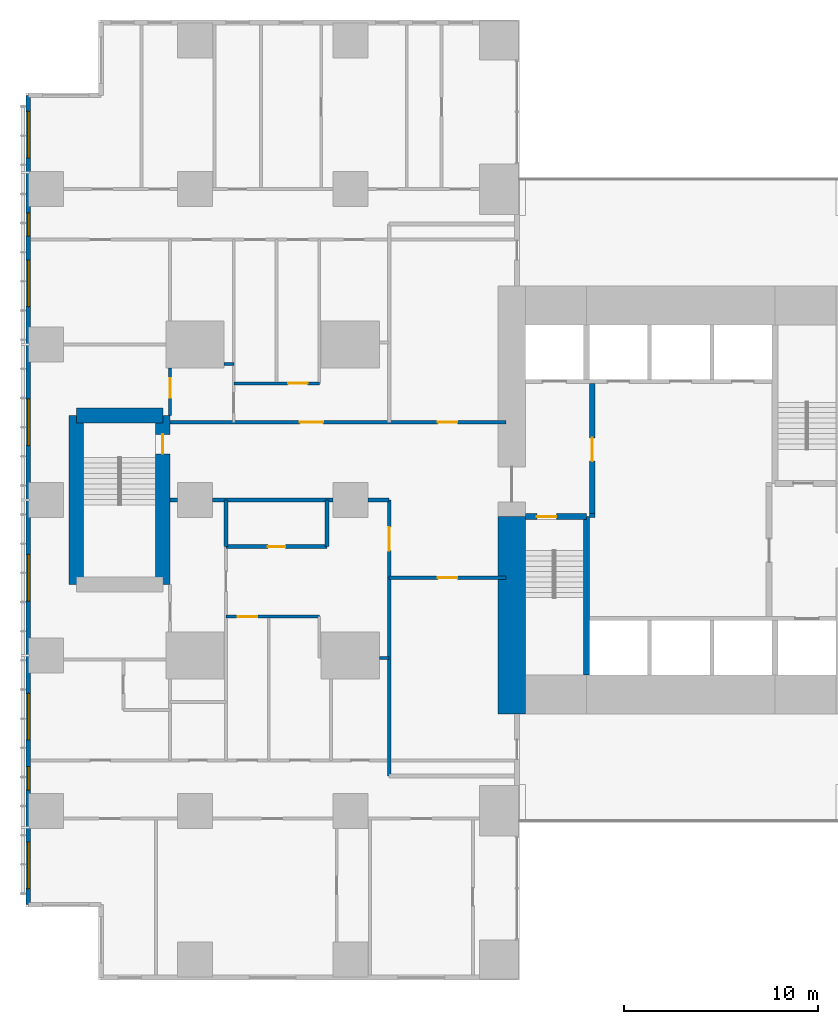
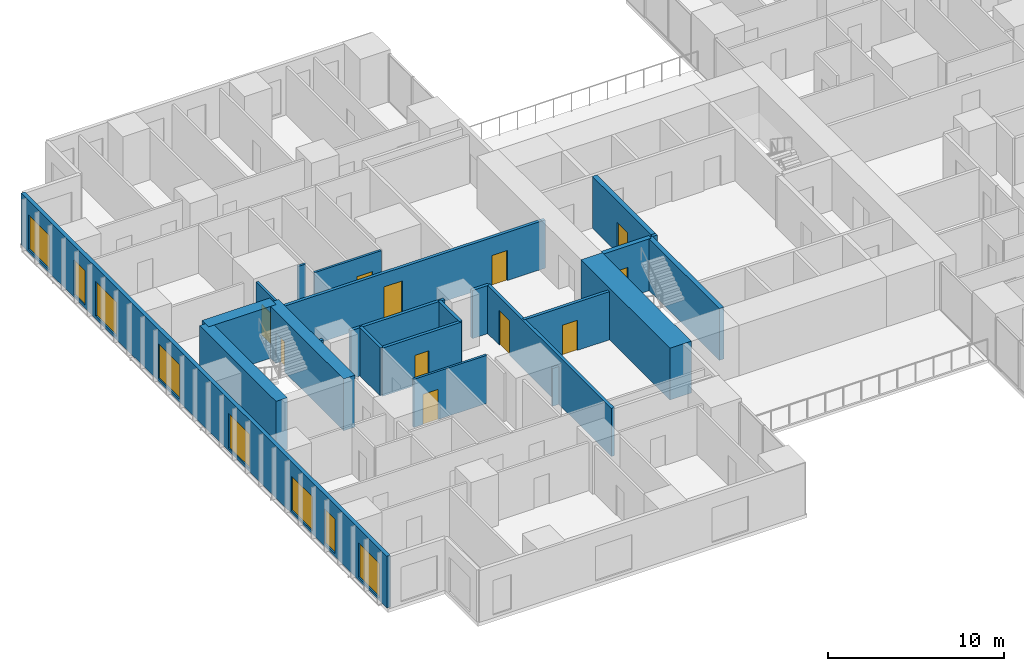
# One storey, part 13 of 20: 23 walls, 11 doors, 8 windows, 19 openings.
"""IFC4 building model written with IfcOpenShell, lengths in metres."""

import ifcopenshell
import ifcopenshell.guid

model = None  # the IFC model being written
_history = None  # IfcOwnerHistory: only IFC2X3 demands one
_inside = {}  # id of a spatial element -> (the spatial element, [elements in it])
_under = {}  # id of a project, library or spatial element -> (it, [spatial elements below it])
_declared = {}  # id of a project -> (the project, [libraries it declares])
_typed = {}  # id of a type object -> (the type object, [elements of that type])
_made_of = {}  # id of a material, layer set ... -> (it, [elements and type objects made of it])


def new_model(schema):
    """Start an empty IFC model of exactly this schema.

    Asked for "IFC4X3", IfcOpenShell would pick the latest addendum, in which some entities
    have other attributes; the version numbers below select the first issue.
    IFC2X3 requires an IfcOwnerHistory on every rooted entity: one is made here for all.
    """
    global model, _history
    if schema == "IFC4X3":
        model = ifcopenshell.file(schema_version=(4, 3, 0, 0))
    else:
        model = ifcopenshell.file(schema=schema)
    _inside.clear()
    _under.clear()
    _declared.clear()
    _typed.clear()
    _made_of.clear()
    _history = None
    if model.schema == "IFC2X3":
        org = make("IfcOrganization", Name="unknown")
        user = make(
            "IfcPersonAndOrganization",
            ThePerson=make("IfcPerson", FamilyName="unknown"),
            TheOrganization=org,
        )
        app = make(
            "IfcApplication",
            ApplicationDeveloper=org,
            Version="unknown",
            ApplicationFullName="unknown",
            ApplicationIdentifier="unknown",
        )
        _history = make(
            "IfcOwnerHistory",
            OwningUser=user,
            OwningApplication=app,
            ChangeAction="ADDED",
            CreationDate=0,
        )
    return model


def make(cls, **values):
    """One entity of the class cls with the attributes given. An attribute that is None is left unset."""
    return model.create_entity(
        cls, **{name: value for name, value in values.items() if value is not None}
    )


def rooted(cls, **values):
    """An entity with a GlobalId (a new one), such as an element, a storey or a relation."""
    return make(cls, GlobalId=ifcopenshell.guid.new(), OwnerHistory=_history, **values)


def si_unit(unit_type, name, prefix=None):
    """IfcSIUnit, for example si_unit("LENGTHUNIT", "METRE", prefix="MILLI")."""
    return make("IfcSIUnit", UnitType=unit_type, Prefix=prefix, Name=name)


def assignment(units):
    """IfcUnitAssignment: the units of a project."""
    return None if units is None else make("IfcUnitAssignment", Units=units)


def point(xyz):
    """IfcCartesianPoint."""
    return None if xyz is None else make("IfcCartesianPoint", Coordinates=xyz)


def direction(xyz):
    """IfcDirection."""
    return None if xyz is None else make("IfcDirection", DirectionRatios=xyz)


def frame(location, z_axis=None, x_axis=None):
    """IfcAxis2Placement3D, a coordinate frame: its origin and axes. An axis left out is left unset."""
    return make(
        "IfcAxis2Placement3D",
        Location=point(location),
        Axis=direction(z_axis),
        RefDirection=direction(x_axis),
    )


def frame_2d(location, x_axis=None):
    """IfcAxis2Placement2D, a coordinate frame in the plane: its origin and x axis."""
    return make(
        "IfcAxis2Placement2D", Location=point(location), RefDirection=direction(x_axis)
    )


def origin():
    """The frame at (0, 0, 0) with its axes left unset."""
    return frame((0.0, 0.0, 0.0))


def place(relative_to, where):
    """IfcLocalPlacement: puts the frame where relative to a parent placement (None: the world)."""
    return make(
        "IfcLocalPlacement", PlacementRelTo=relative_to, RelativePlacement=where
    )


def context(
    kind, dimensions, precision=None, world=None, true_north=None, identifier=None
):
    """IfcGeometricRepresentationContext, for example the 3D "Model" context."""
    return make(
        "IfcGeometricRepresentationContext",
        ContextIdentifier=identifier,
        ContextType=kind,
        CoordinateSpaceDimension=dimensions,
        Precision=precision,
        WorldCoordinateSystem=world,
        TrueNorth=true_north,
    )


def subcontext(parent, identifier, kind, view, scale=None):
    """IfcGeometricRepresentationSubContext, for example "Body" below "Model"."""
    return make(
        "IfcGeometricRepresentationSubContext",
        ContextIdentifier=identifier,
        ContextType=kind,
        ParentContext=parent,
        TargetScale=scale,
        TargetView=view,
    )


def project(units=None, contexts=None):
    """IfcProject with its units and contexts."""
    return rooted(
        "IfcProject",
        Name="project",
        RepresentationContexts=contexts,
        UnitsInContext=assignment(units),
    )


def spatial(cls, under=None, at=None, **own):
    """A site, building, storey or space (cls), placed at a placement, below another one or the project."""
    s = rooted(cls, ObjectPlacement=at, **own)
    if under is not None:
        _under.setdefault(under.id(), (under, []))[1].append(s)
    return s


def profile(cls, at=None, kind="AREA", **sizes):
    """A parametric profile (cls). Its sizes go by their IFC names, for example OverallWidth=200.0."""
    return make(cls, ProfileType=kind, Position=at, **sizes)


def rectangle(**sizes):
    """IfcRectangleProfileDef."""
    return profile("IfcRectangleProfileDef", **sizes)


def extrude(swept, where, along, depth):
    """IfcExtrudedAreaSolid: the profile swept, set in the frame where, extruded along a direction by depth."""
    return make(
        "IfcExtrudedAreaSolid",
        SweptArea=swept,
        Position=where,
        ExtrudedDirection=direction(along),
        Depth=depth,
    )


def shape(context_of_items, identifier, shape_type, items):
    """IfcShapeRepresentation: the items that make up one representation, for example the "Body"."""
    return make(
        "IfcShapeRepresentation",
        ContextOfItems=context_of_items,
        RepresentationIdentifier=identifier,
        RepresentationType=shape_type,
        Items=items,
    )


def material(Name=None, Category=None):
    """IfcMaterial."""
    return make("IfcMaterial", Name=Name, Category=Category)


def layer(
    of_material, thickness, ventilated=None, Name=None, Category=None, Priority=None
):
    """IfcMaterialLayer: one layer of a wall or slab, of a material (None: an air gap)."""
    return make(
        "IfcMaterialLayer",
        Material=of_material,
        LayerThickness=thickness,
        IsVentilated=ventilated,
        Name=Name,
        Category=Category,
        Priority=Priority,
    )


def layer_set(layers, Name=None):
    """IfcMaterialLayerSet."""
    return make("IfcMaterialLayerSet", MaterialLayers=layers, LayerSetName=Name)


def made_of(thing, what):
    """Note that an element or type object is made of a material, layer set ...; save() writes the relation."""
    if what is not None:
        _made_of.setdefault(what.id(), (what, []))[1].append(thing)
    return thing


def type_object(cls, material=None, **own):
    """A type object (cls), such as IfcWallType, which elements share."""
    return made_of(rooted(cls, **own), material)


def element(
    cls,
    number,
    at=None,
    inside=None,
    cuts=None,
    type_object=None,
    material=None,
    context=None,
    identifier="Body",
    shape_type=None,
    held_by="IfcProductDefinitionShape",
    body=None,
    shapes=None,
    **own,
):
    """One element of the class cls, such as IfcWall. Its Tag is "e" and its number.

    at: its placement. inside: the storey or other place that contains it. cuts: it is an
    opening in that element (IfcRelVoidsElement). A single representation is given by context,
    identifier, shape_type and body (its items); several are given by shapes. held_by: the class
    of the entity that holds the representations. save() writes the other relations.
    """
    e = rooted(cls, Tag="e%d" % number, ObjectPlacement=at, **own)
    if body is not None:
        shapes = [shape(context, identifier, shape_type, body)]
    if shapes is not None:
        e.Representation = make(held_by, Representations=shapes)
    if inside is not None:
        _inside.setdefault(inside.id(), (inside, []))[1].append(e)
    if cuts is not None:
        rooted(
            "IfcRelVoidsElement", RelatingBuildingElement=cuts, RelatedOpeningElement=e
        )
    if type_object is not None:
        _typed.setdefault(type_object.id(), (type_object, []))[1].append(e)
    return made_of(e, material)


def fill(opening, filler):
    """IfcRelFillsElement: the door or window that sits in an opening."""
    return rooted(
        "IfcRelFillsElement",
        RelatingOpeningElement=opening,
        RelatedBuildingElement=filler,
    )


def aggregate(whole, parts):
    """IfcRelAggregates: a whole, such as a stair, and the parts it consists of."""
    return rooted("IfcRelAggregates", RelatingObject=whole, RelatedObjects=parts)


def save(model, path):
    """Write the relations noted so far, then the file.

    IfcRelAggregates (storeys below a building ...), IfcRelContainedInSpatialStructure (elements
    in a storey), IfcRelDefinesByType, IfcRelAssociatesMaterial and IfcRelDeclares: one each for
    every whole, place, type object, material and project.
    """
    for whole, parts in _under.values():
        aggregate(whole, parts)
    for where, things in _inside.values():
        rooted(
            "IfcRelContainedInSpatialStructure",
            RelatedElements=things,
            RelatingStructure=where,
        )
    for kind, things in _typed.values():
        rooted("IfcRelDefinesByType", RelatedObjects=things, RelatingType=kind)
    for what, things in _made_of.values():
        rooted("IfcRelAssociatesMaterial", RelatedObjects=things, RelatingMaterial=what)
    for by, libraries in _declared.values():
        rooted("IfcRelDeclares", RelatingContext=by, RelatedDefinitions=libraries)
    model.write(path)


model = new_model("IFC4")

# Units and contexts
model_context = context("Model", 3, precision=1e-05, world=origin(), true_north=direction((0.0, 1.0)))
body_context = subcontext(model_context, "Body", "Model", "MODEL_VIEW")
ifc_project = project(units=[si_unit("LENGTHUNIT", "METRE"), si_unit("AREAUNIT", "SQUARE_METRE"), si_unit("VOLUMEUNIT", "CUBIC_METRE"), si_unit("PLANEANGLEUNIT", "RADIAN"), si_unit("MASSUNIT", "GRAM", prefix="KILO")], contexts=[model_context])

# Site, building, storey
site_placement = place(None, origin())
site = spatial("IfcSite", under=ifc_project, at=site_placement, CompositionType="ELEMENT")
building_placement = place(site_placement, origin())
building = spatial("IfcBuilding", under=site, at=building_placement, Name="Cleftline Residences", CompositionType="ELEMENT")
storey_placement = place(building_placement, frame((0.0, 0.0, 182.199951171875)))
storey = spatial("IfcBuildingStorey", under=building, at=storey_placement, Name="L47", CompositionType="ELEMENT", Elevation=182.199951171875)

# Walls
ifc_material_1 = material(Name="Concrete B70", Category="concrete")
ifc_layer_1 = layer(ifc_material_1, 1.39990234375)
ifc_layer_set_1 = layer_set([ifc_layer_1], Name="CORE WALL 1400")
wall_type_1 = type_object("IfcWallType", Name="CORE WALL 1400", PredefinedType="SHEAR", material=ifc_layer_set_1)
wall_1_placement = place(storey_placement, frame((24.300048828125, 13.0, 0.0), z_axis=(0.0, 0.0, 1.0), x_axis=(0.0, 1.0, 0.0)))
element("IfcWall", 1, at=wall_1_placement, inside=storey, type_object=wall_type_1, Name="Core wall W0", PredefinedType="SHEAR", context=body_context, shape_type="SweptSolid", body=[
    extrude(rectangle(XDim=10.14990234375, YDim=1.39990234375, at=frame_2d((5.074951171875, 0.0))), origin(), (0.0, 0.0, 1.0), 3.60009765625),
])
ifc_material_2 = material(Name="Concrete B70", Category="concrete")
ifc_layer_2 = layer(ifc_material_2, 0.300048828125)
ifc_layer_set_2 = layer_set([ifc_layer_2], Name="CORE WALL 300")
wall_type_2 = type_object("IfcWallType", Name="CORE WALL 300", PredefinedType="SHEAR", material=ifc_layer_set_2)
wall_2_placement = place(storey_placement, frame((28.14990234375, 15.0, 0.0), z_axis=(0.0, 0.0, 1.0), x_axis=(0.0, 1.0, 0.0)))
element("IfcWall", 2, at=wall_2_placement, inside=storey, type_object=wall_type_2, Name="Core wall SA-E", PredefinedType="SHEAR", context=body_context, shape_type="SweptSolid", body=[
    extrude(rectangle(XDim=8.14990234375, YDim=0.300048828125, at=frame_2d((4.074951171875, 0.0))), origin(), (0.0, 0.0, 1.0), 3.60009765625),
])

# Wall, opening, door
wall_3_placement = place(storey_placement, frame((25.0, 23.14990234375, 0.0), z_axis=(0.0, 0.0, 1.0), x_axis=(1.0, 0.0, 0.0)))
wall_3 = element("IfcWall", 3, at=wall_3_placement, inside=storey, type_object=wall_type_2, Name="Core wall SA-N", PredefinedType="SHEAR", context=body_context, shape_type="SweptSolid", body=[
    extrude(rectangle(XDim=3.14990234375, YDim=0.300048828125, at=frame_2d((1.574951171875, 0.0))), origin(), (0.0, 0.0, 1.0), 3.60009765625),
])
opening_1_placement = place(wall_3_placement, frame((0.60009765625, 0.0, 0.0)))
opening_1 = element("IfcOpeningElement", 4, at=opening_1_placement, cuts=wall_3, Name="Opening D5", PredefinedType="OPENING", context=body_context, shape_type="SweptSolid", body=[
    extrude(rectangle(XDim=1.0, YDim=2.10009765625, at=frame_2d((0.5, 1.050048828125))), frame((0.0, 0.159912109375, 0.0), z_axis=(0.0, -1.0, 0.0), x_axis=(1.0, 0.0, 0.0)), (0.0, 0.0, 1.0), 0.320068359375),
])
ifc_material_3 = material(Name="Steel", Category="steel")
door_type_1 = type_object("IfcDoorType", Name="STAIR DOOR 1000X2100", OperationType="SINGLE_SWING_LEFT", PredefinedType="DOOR", material=ifc_material_3)
door_1_placement = place(opening_1_placement, origin())
door_1 = element("IfcDoor", 5, at=door_1_placement, inside=storey, type_object=door_type_1, Name="Stair A door", OperationType="SINGLE_SWING_RIGHT", OverallHeight=2.10009765625, OverallWidth=1.0, PredefinedType="DOOR", context=body_context, shape_type="SweptSolid", body=[
    extrude(rectangle(XDim=1.0, YDim=2.10009765625, at=frame_2d((0.5, 1.050048828125))), frame((0.0, 0.02490234375, 0.0), z_axis=(0.0, -1.0, 0.0), x_axis=(1.0, 0.0, 0.0)), (0.0, 0.0, 1.0), 0.050048828125),
])
fill(opening_1, door_1)

# Wall, openings, windows
ifc_material_4 = material(Name="Rendered reinforced concrete blockwork", Category="masonry")
ifc_layer_3 = layer(ifc_material_4, 0.25)
ifc_layer_set_3 = layer_set([ifc_layer_3], Name="EXTERNAL WALL 250")
wall_type_3 = type_object("IfcWallType", Name="EXTERNAL WALL 250", PredefinedType="SOLIDWALL", material=ifc_layer_set_3)
wall_4_placement = place(storey_placement, frame((-0.574951171875, 44.824951171875, 0.0), z_axis=(0.0, 0.0, 1.0), x_axis=(0.0, -1.0, 0.0)))
wall_4 = element("IfcWall", 6, at=wall_4_placement, inside=storey, type_object=wall_type_3, Name="External wall", PredefinedType="SOLIDWALL", context=body_context, shape_type="SweptSolid", body=[
    extrude(rectangle(XDim=41.64990234375, YDim=0.25, at=frame_2d((20.824951171875, 0.0))), origin(), (0.0, 0.0, 1.0), 3.60009765625),
])
opening_2_placement = place(wall_4_placement, frame((0.824951171875, 0.0, 0.199951171875)))
opening_2 = element("IfcOpeningElement", 7, at=opening_2_placement, cuts=wall_4, Name="Opening W9", PredefinedType="OPENING", context=body_context, shape_type="SweptSolid", body=[
    extrude(rectangle(XDim=2.39990234375, YDim=2.39990234375, at=frame_2d((1.199951171875, 1.199951171875))), frame((0.0, 0.135009765625, 0.0), z_axis=(0.0, -1.0, 0.0), x_axis=(1.0, 0.0, 0.0)), (0.0, 0.0, 1.0), 0.27001953125),
])
opening_3_placement = place(wall_4_placement, frame((6.050048828125, 0.0, 0.199951171875)))
opening_3 = element("IfcOpeningElement", 8, at=opening_3_placement, cuts=wall_4, Name="Opening W13", PredefinedType="OPENING", context=body_context, shape_type="SweptSolid", body=[
    extrude(rectangle(XDim=1.199951171875, YDim=2.39990234375, at=frame_2d((0.60009765625, 1.199951171875))), frame((0.0, 0.135009765625, 0.0), z_axis=(0.0, -1.0, 0.0), x_axis=(1.0, 0.0, 0.0)), (0.0, 0.0, 1.0), 0.27001953125),
])
opening_4_placement = place(wall_4_placement, frame((8.47509765625, 0.0, 0.199951171875)))
opening_4 = element("IfcOpeningElement", 9, at=opening_4_placement, cuts=wall_4, Name="Opening W9", PredefinedType="OPENING", context=body_context, shape_type="SweptSolid", body=[
    extrude(rectangle(XDim=2.39990234375, YDim=2.39990234375, at=frame_2d((1.199951171875, 1.199951171875))), frame((0.0, 0.135009765625, 0.0), z_axis=(0.0, -1.0, 0.0), x_axis=(1.0, 0.0, 0.0)), (0.0, 0.0, 1.0), 0.27001953125),
])
opening_5_placement = place(wall_4_placement, frame((15.625, 0.0, 0.199951171875)))
opening_5 = element("IfcOpeningElement", 10, at=opening_5_placement, cuts=wall_4, Name="Opening W9", PredefinedType="OPENING", context=body_context, shape_type="SweptSolid", body=[
    extrude(rectangle(XDim=2.39990234375, YDim=2.39990234375, at=frame_2d((1.199951171875, 1.199951171875))), frame((0.0, 0.135009765625, 0.0), z_axis=(0.0, -1.0, 0.0), x_axis=(1.0, 0.0, 0.0)), (0.0, 0.0, 1.0), 0.27001953125),
])
opening_6_placement = place(wall_4_placement, frame((23.625, 0.0, 0.199951171875)))
opening_6 = element("IfcOpeningElement", 11, at=opening_6_placement, cuts=wall_4, Name="Opening W9", PredefinedType="OPENING", context=body_context, shape_type="SweptSolid", body=[
    extrude(rectangle(XDim=2.39990234375, YDim=2.39990234375, at=frame_2d((1.199951171875, 1.199951171875))), frame((0.0, 0.135009765625, 0.0), z_axis=(0.0, -1.0, 0.0), x_axis=(1.0, 0.0, 0.0)), (0.0, 0.0, 1.0), 0.27001953125),
])
opening_7_placement = place(wall_4_placement, frame((30.77490234375, 0.0, 0.199951171875)))
opening_7 = element("IfcOpeningElement", 12, at=opening_7_placement, cuts=wall_4, Name="Opening W9", PredefinedType="OPENING", context=body_context, shape_type="SweptSolid", body=[
    extrude(rectangle(XDim=2.39990234375, YDim=2.39990234375, at=frame_2d((1.199951171875, 1.199951171875))), frame((0.0, 0.135009765625, 0.0), z_axis=(0.0, -1.0, 0.0), x_axis=(1.0, 0.0, 0.0)), (0.0, 0.0, 1.0), 0.27001953125),
])
opening_8_placement = place(wall_4_placement, frame((34.550048828125, 0.0, 0.199951171875)))
opening_8 = element("IfcOpeningElement", 13, at=opening_8_placement, cuts=wall_4, Name="Opening W13", PredefinedType="OPENING", context=body_context, shape_type="SweptSolid", body=[
    extrude(rectangle(XDim=1.199951171875, YDim=2.39990234375, at=frame_2d((0.60009765625, 1.199951171875))), frame((0.0, 0.135009765625, 0.0), z_axis=(0.0, -1.0, 0.0), x_axis=(1.0, 0.0, 0.0)), (0.0, 0.0, 1.0), 0.27001953125),
])
opening_9_placement = place(wall_4_placement, frame((38.425048828125, 0.0, 0.199951171875)))
opening_9 = element("IfcOpeningElement", 14, at=opening_9_placement, cuts=wall_4, Name="Opening W9", PredefinedType="OPENING", context=body_context, shape_type="SweptSolid", body=[
    extrude(rectangle(XDim=2.39990234375, YDim=2.39990234375, at=frame_2d((1.199951171875, 1.199951171875))), frame((0.0, 0.135009765625, 0.0), z_axis=(0.0, -1.0, 0.0), x_axis=(1.0, 0.0, 0.0)), (0.0, 0.0, 1.0), 0.27001953125),
])
ifc_material_5 = material(Name="Aluminium frame, clear double glazing", Category="aluminium")
window_type_1 = type_object("IfcWindowType", Name="WINDOW 1200X2400", PartitioningType="DOUBLE_PANEL_VERTICAL", PredefinedType="WINDOW", material=ifc_material_5)
window_1_placement = place(opening_3_placement, origin())
window_1 = element("IfcWindow", 15, at=window_1_placement, inside=storey, type_object=window_type_1, Name="Window", OverallHeight=2.39990234375, OverallWidth=1.199951171875, PartitioningType="SINGLE_PANEL", PredefinedType="WINDOW", context=body_context, shape_type="SweptSolid", body=[
    extrude(rectangle(XDim=1.199951171875, YDim=2.39990234375, at=frame_2d((0.60009765625, 1.199951171875))), frame((0.0, 0.030029296875, 0.0), z_axis=(0.0, -1.0, 0.0), x_axis=(1.0, 0.0, 0.0)), (0.0, 0.0, 1.0), 0.06005859375),
])
fill(opening_3, window_1)
window_2_placement = place(opening_8_placement, origin())
window_2 = element("IfcWindow", 16, at=window_2_placement, inside=storey, type_object=window_type_1, Name="Window", OverallHeight=2.39990234375, OverallWidth=1.199951171875, PartitioningType="SINGLE_PANEL", PredefinedType="WINDOW", context=body_context, shape_type="SweptSolid", body=[
    extrude(rectangle(XDim=1.199951171875, YDim=2.39990234375, at=frame_2d((0.60009765625, 1.199951171875))), frame((0.0, 0.030029296875, 0.0), z_axis=(0.0, -1.0, 0.0), x_axis=(1.0, 0.0, 0.0)), (0.0, 0.0, 1.0), 0.06005859375),
])
fill(opening_8, window_2)
ifc_material_6 = material(Name="Aluminium frame, clear double glazing", Category="aluminium")
window_type_2 = type_object("IfcWindowType", Name="WINDOW 2400X2400", PartitioningType="DOUBLE_PANEL_VERTICAL", PredefinedType="WINDOW", material=ifc_material_6)
window_3_placement = place(opening_2_placement, origin())
window_3 = element("IfcWindow", 17, at=window_3_placement, inside=storey, type_object=window_type_2, Name="Window", OverallHeight=2.39990234375, OverallWidth=2.39990234375, PartitioningType="SINGLE_PANEL", PredefinedType="WINDOW", context=body_context, shape_type="SweptSolid", body=[
    extrude(rectangle(XDim=2.39990234375, YDim=2.39990234375, at=frame_2d((1.199951171875, 1.199951171875))), frame((0.0, 0.030029296875, 0.0), z_axis=(0.0, -1.0, 0.0), x_axis=(1.0, 0.0, 0.0)), (0.0, 0.0, 1.0), 0.06005859375),
])
fill(opening_2, window_3)
window_4_placement = place(opening_4_placement, origin())
window_4 = element("IfcWindow", 18, at=window_4_placement, inside=storey, type_object=window_type_2, Name="Window", OverallHeight=2.39990234375, OverallWidth=2.39990234375, PartitioningType="SINGLE_PANEL", PredefinedType="WINDOW", context=body_context, shape_type="SweptSolid", body=[
    extrude(rectangle(XDim=2.39990234375, YDim=2.39990234375, at=frame_2d((1.199951171875, 1.199951171875))), frame((0.0, 0.030029296875, 0.0), z_axis=(0.0, -1.0, 0.0), x_axis=(1.0, 0.0, 0.0)), (0.0, 0.0, 1.0), 0.06005859375),
])
fill(opening_4, window_4)
window_5_placement = place(opening_5_placement, origin())
window_5 = element("IfcWindow", 19, at=window_5_placement, inside=storey, type_object=window_type_2, Name="Window", OverallHeight=2.39990234375, OverallWidth=2.39990234375, PartitioningType="SINGLE_PANEL", PredefinedType="WINDOW", context=body_context, shape_type="SweptSolid", body=[
    extrude(rectangle(XDim=2.39990234375, YDim=2.39990234375, at=frame_2d((1.199951171875, 1.199951171875))), frame((0.0, 0.030029296875, 0.0), z_axis=(0.0, -1.0, 0.0), x_axis=(1.0, 0.0, 0.0)), (0.0, 0.0, 1.0), 0.06005859375),
])
fill(opening_5, window_5)
window_6_placement = place(opening_6_placement, origin())
window_6 = element("IfcWindow", 20, at=window_6_placement, inside=storey, type_object=window_type_2, Name="Window", OverallHeight=2.39990234375, OverallWidth=2.39990234375, PartitioningType="SINGLE_PANEL", PredefinedType="WINDOW", context=body_context, shape_type="SweptSolid", body=[
    extrude(rectangle(XDim=2.39990234375, YDim=2.39990234375, at=frame_2d((1.199951171875, 1.199951171875))), frame((0.0, 0.030029296875, 0.0), z_axis=(0.0, -1.0, 0.0), x_axis=(1.0, 0.0, 0.0)), (0.0, 0.0, 1.0), 0.06005859375),
])
fill(opening_6, window_6)
window_7_placement = place(opening_7_placement, origin())
window_7 = element("IfcWindow", 21, at=window_7_placement, inside=storey, type_object=window_type_2, Name="Window", OverallHeight=2.39990234375, OverallWidth=2.39990234375, PartitioningType="SINGLE_PANEL", PredefinedType="WINDOW", context=body_context, shape_type="SweptSolid", body=[
    extrude(rectangle(XDim=2.39990234375, YDim=2.39990234375, at=frame_2d((1.199951171875, 1.199951171875))), frame((0.0, 0.030029296875, 0.0), z_axis=(0.0, -1.0, 0.0), x_axis=(1.0, 0.0, 0.0)), (0.0, 0.0, 1.0), 0.06005859375),
])
fill(opening_7, window_7)
window_8_placement = place(opening_9_placement, origin())
window_8 = element("IfcWindow", 22, at=window_8_placement, inside=storey, type_object=window_type_2, Name="Window", OverallHeight=2.39990234375, OverallWidth=2.39990234375, PartitioningType="SINGLE_PANEL", PredefinedType="WINDOW", context=body_context, shape_type="SweptSolid", body=[
    extrude(rectangle(XDim=2.39990234375, YDim=2.39990234375, at=frame_2d((1.199951171875, 1.199951171875))), frame((0.0, 0.030029296875, 0.0), z_axis=(0.0, -1.0, 0.0), x_axis=(1.0, 0.0, 0.0)), (0.0, 0.0, 1.0), 0.06005859375),
])
fill(opening_9, window_8)

# Wall, opening, door
ifc_material_7 = material(Name="Concrete blockwork, fire rated", Category="masonry")
ifc_layer_4 = layer(ifc_material_7, 0.199951171875)
ifc_layer_set_4 = layer_set([ifc_layer_4], Name="FIRE WALL 200")
wall_type_4 = type_object("IfcWallType", Name="FIRE WALL 200", PredefinedType="PARTITIONING", material=ifc_layer_set_4)
wall_5_placement = place(storey_placement, frame((18.0, 20.0, 0.0), z_axis=(0.0, 0.0, 1.0), x_axis=(1.0, 0.0, 0.0)))
wall_5 = element("IfcWall", 23, at=wall_5_placement, inside=storey, type_object=wall_type_4, Name="Fire separating wall", PredefinedType="PARTITIONING", context=body_context, shape_type="SweptSolid", body=[
    extrude(rectangle(XDim=6.0, YDim=0.199951171875, at=frame_2d((3.0, 0.0))), origin(), (0.0, 0.0, 1.0), 3.35009765625),
])
opening_10_placement = place(wall_5_placement, frame((2.5, 0.0, 0.0)))
opening_10 = element("IfcOpeningElement", 24, at=opening_10_placement, cuts=wall_5, Name="Opening D2F60", PredefinedType="OPENING", context=body_context, shape_type="SweptSolid", body=[
    extrude(rectangle(XDim=1.0, YDim=2.10009765625, at=frame_2d((0.5, 1.050048828125))), frame((0.0, 0.10986328125, 0.0), z_axis=(0.0, -1.0, 0.0), x_axis=(1.0, 0.0, 0.0)), (0.0, 0.0, 1.0), 0.219970703125),
])
ifc_material_8 = material(Name="Timber veneer on solid core", Category="wood")
door_type_2 = type_object("IfcDoorType", Name="DOOR 1000X2100 EI 60", OperationType="SINGLE_SWING_LEFT", PredefinedType="DOOR", material=ifc_material_8)
door_2_placement = place(opening_10_placement, origin())
door_2 = element("IfcDoor", 25, at=door_2_placement, inside=storey, type_object=door_type_2, Name="Door to facade maintenance room", OperationType="SINGLE_SWING_LEFT", OverallHeight=2.10009765625, OverallWidth=1.0, PredefinedType="DOOR", context=body_context, shape_type="SweptSolid", body=[
    extrude(rectangle(XDim=1.0, YDim=2.10009765625, at=frame_2d((0.5, 1.050048828125))), frame((0.0, 0.02490234375, 0.0), z_axis=(0.0, -1.0, 0.0), x_axis=(1.0, 0.0, 0.0)), (0.0, 0.0, 1.0), 0.050048828125),
])
fill(opening_10, door_2)

wall_6_placement = place(storey_placement, frame((9.60009765625, 21.60009765625, 0.0), z_axis=(0.0, 0.0, 1.0), x_axis=(1.0, 0.0, 0.0)))
wall_6 = element("IfcWall", 26, at=wall_6_placement, inside=storey, type_object=wall_type_4, Name="Fire separating wall", PredefinedType="PARTITIONING", context=body_context, shape_type="SweptSolid", body=[
    extrude(rectangle(XDim=5.199951171875, YDim=0.199951171875, at=frame_2d((2.60009765625, 0.0))), origin(), (0.0, 0.0, 1.0), 3.35009765625),
])
opening_11_placement = place(wall_6_placement, frame((2.14990234375, 0.0, 0.0)))
opening_11 = element("IfcOpeningElement", 27, at=opening_11_placement, cuts=wall_6, Name="Opening D1F30", PredefinedType="OPENING", context=body_context, shape_type="SweptSolid", body=[
    extrude(rectangle(XDim=0.89990234375, YDim=2.10009765625, at=frame_2d((0.449951171875, 1.050048828125))), frame((0.0, 0.10986328125, 0.0), z_axis=(0.0, -1.0, 0.0), x_axis=(1.0, 0.0, 0.0)), (0.0, 0.0, 1.0), 0.219970703125),
])
ifc_material_9 = material(Name="Timber veneer on solid core", Category="wood")
door_type_3 = type_object("IfcDoorType", Name="DOOR 900X2100 EI 30", OperationType="SINGLE_SWING_LEFT", PredefinedType="DOOR", material=ifc_material_9)
door_3_placement = place(opening_11_placement, origin())
door_3 = element("IfcDoor", 28, at=door_3_placement, inside=storey, type_object=door_type_3, Name="Door to cloakroom wc", OperationType="SINGLE_SWING_LEFT", OverallHeight=2.10009765625, OverallWidth=0.89990234375, PredefinedType="DOOR", context=body_context, shape_type="SweptSolid", body=[
    extrude(rectangle(XDim=0.89990234375, YDim=2.10009765625, at=frame_2d((0.449951171875, 1.050048828125))), frame((0.0, 0.02490234375, 0.0), z_axis=(0.0, -1.0, 0.0), x_axis=(1.0, 0.0, 0.0)), (0.0, 0.0, 1.0), 0.050048828125),
])
fill(opening_11, door_3)

# Walls
wall_7_placement = place(storey_placement, frame((6.72509765625, 24.0, 0.0), z_axis=(0.0, 0.0, 1.0), x_axis=(1.0, 0.0, 0.0)))
element("IfcWall", 29, at=wall_7_placement, inside=storey, type_object=wall_type_4, Name="Fire separating wall", PredefinedType="PARTITIONING", context=body_context, shape_type="SweptSolid", body=[
    extrude(rectangle(XDim=0.375, YDim=0.199951171875, at=frame_2d((0.1875, 0.0))), origin(), (0.0, 0.0, 1.0), 3.35009765625),
])
wall_8_placement = place(storey_placement, frame((8.89990234375, 24.0, 0.0), z_axis=(0.0, 0.0, 1.0), x_axis=(1.0, 0.0, 0.0)))
element("IfcWall", 30, at=wall_8_placement, inside=storey, type_object=wall_type_4, Name="Fire separating wall", PredefinedType="PARTITIONING", context=body_context, shape_type="SweptSolid", body=[
    extrude(rectangle(XDim=6.2001953125, YDim=0.199951171875, at=frame_2d((3.10009765625, 0.0))), origin(), (0.0, 0.0, 1.0), 3.35009765625),
])
wall_9_placement = place(storey_placement, frame((16.89990234375, 24.0, 0.0), z_axis=(0.0, 0.0, 1.0), x_axis=(1.0, 0.0, 0.0)))
element("IfcWall", 31, at=wall_9_placement, inside=storey, type_object=wall_type_4, Name="Fire separating wall", PredefinedType="PARTITIONING", context=body_context, shape_type="SweptSolid", body=[
    extrude(rectangle(XDim=1.10009765625, YDim=0.199951171875, at=frame_2d((0.550048828125, 0.0))), origin(), (0.0, 0.0, 1.0), 3.35009765625),
])

# Wall, openings, doors
wall_10_placement = place(storey_placement, frame((6.72509765625, 28.0, 0.0), z_axis=(0.0, 0.0, 1.0), x_axis=(1.0, 0.0, 0.0)))
wall_10 = element("IfcWall", 32, at=wall_10_placement, inside=storey, type_object=wall_type_4, Name="Fire separating wall", PredefinedType="PARTITIONING", context=body_context, shape_type="SweptSolid", body=[
    extrude(rectangle(XDim=17.27490234375, YDim=0.199951171875, at=frame_2d((8.637451171875, 0.0))), origin(), (0.0, 0.0, 1.0), 3.35009765625),
])
opening_12_placement = place(wall_10_placement, frame((6.675048828125, 0.0, 0.0)))
opening_12 = element("IfcOpeningElement", 33, at=opening_12_placement, cuts=wall_10, Name="Opening D4", PredefinedType="OPENING", context=body_context, shape_type="SweptSolid", body=[
    extrude(rectangle(XDim=1.199951171875, YDim=2.39990234375, at=frame_2d((0.60009765625, 1.199951171875))), frame((0.0, 0.10986328125, 0.0), z_axis=(0.0, -1.0, 0.0), x_axis=(1.0, 0.0, 0.0)), (0.0, 0.0, 1.0), 0.219970703125),
])
opening_13_placement = place(wall_10_placement, frame((13.77490234375, 0.0, 0.0)))
opening_13 = element("IfcOpeningElement", 34, at=opening_13_placement, cuts=wall_10, Name="Opening D2F60", PredefinedType="OPENING", context=body_context, shape_type="SweptSolid", body=[
    extrude(rectangle(XDim=1.0, YDim=2.10009765625, at=frame_2d((0.5, 1.050048828125))), frame((0.0, 0.10986328125, 0.0), z_axis=(0.0, -1.0, 0.0), x_axis=(1.0, 0.0, 0.0)), (0.0, 0.0, 1.0), 0.219970703125),
])
ifc_material_10 = material(Name="Timber veneer on solid core", Category="wood")
door_type_4 = type_object("IfcDoorType", Name="APARTMENT ENTRANCE DOOR 1200X2400", OperationType="SINGLE_SWING_RIGHT", PredefinedType="DOOR", material=ifc_material_10)
door_4_placement = place(opening_12_placement, origin())
door_4 = element("IfcDoor", 35, at=door_4_placement, inside=storey, type_object=door_type_4, Name="Door to residence entrance (gallery)", OperationType="SINGLE_SWING_RIGHT", OverallHeight=2.39990234375, OverallWidth=1.199951171875, PredefinedType="DOOR", context=body_context, shape_type="SweptSolid", body=[
    extrude(rectangle(XDim=1.199951171875, YDim=2.39990234375, at=frame_2d((0.60009765625, 1.199951171875))), frame((0.0, 0.02490234375, 0.0), z_axis=(0.0, -1.0, 0.0), x_axis=(1.0, 0.0, 0.0)), (0.0, 0.0, 1.0), 0.050048828125),
])
fill(opening_12, door_4)
door_5_placement = place(opening_13_placement, origin())
door_5 = element("IfcDoor", 36, at=door_5_placement, inside=storey, type_object=door_type_2, Name="Door to facade maintenance room", OperationType="SINGLE_SWING_LEFT", OverallHeight=2.10009765625, OverallWidth=1.0, PredefinedType="DOOR", context=body_context, shape_type="SweptSolid", body=[
    extrude(rectangle(XDim=1.0, YDim=2.10009765625, at=frame_2d((0.5, 1.050048828125))), frame((0.0, 0.02490234375, 0.0), z_axis=(0.0, -1.0, 0.0), x_axis=(1.0, 0.0, 0.0)), (0.0, 0.0, 1.0), 0.050048828125),
])
fill(opening_13, door_5)

# Walls
for number, where, z_axis, x_axis, name in (
    (37, (9.60009765625, 21.60009765625, 0.0), (0.0, 0.0, 1.0), (0.0, 1.0, 0.0), "Fire separating wall"),
    (38, (14.800048828125, 21.60009765625, 0.0), (0.0, 0.0, 1.0), (0.0, 1.0, 0.0), "Fire separating wall"),
):
    element("IfcWall", number, at=place(storey_placement, frame(where, z_axis=z_axis, x_axis=x_axis)), inside=storey, type_object=wall_type_4, Name=name, PredefinedType="PARTITIONING", context=body_context, shape_type="SweptSolid", body=[
        extrude(rectangle(XDim=2.39990234375, YDim=0.199951171875, at=frame_2d((1.199951171875, 0.0))), origin(), (0.0, 0.0, 1.0), 3.35009765625),
    ])

# Wall, opening, door
wall_11_placement = place(storey_placement, frame((18.0, 9.800048828125, 0.0), z_axis=(0.0, 0.0, 1.0), x_axis=(0.0, 1.0, 0.0)))
wall_11 = element("IfcWall", 39, at=wall_11_placement, inside=storey, type_object=wall_type_4, Name="Fire separating wall", PredefinedType="PARTITIONING", context=body_context, shape_type="SweptSolid", body=[
    extrude(rectangle(XDim=14.199951171875, YDim=0.199951171875, at=frame_2d((7.10009765625, 0.0))), origin(), (0.0, 0.0, 1.0), 3.35009765625),
])
opening_14_placement = place(wall_11_placement, frame((11.60009765625, 0.0, 0.0)))
opening_14 = element("IfcOpeningElement", 40, at=opening_14_placement, cuts=wall_11, Name="Opening D4", PredefinedType="OPENING", context=body_context, shape_type="SweptSolid", body=[
    extrude(rectangle(XDim=1.199951171875, YDim=2.39990234375, at=frame_2d((0.60009765625, 1.199951171875))), frame((0.0, 0.10986328125, 0.0), z_axis=(0.0, -1.0, 0.0), x_axis=(1.0, 0.0, 0.0)), (0.0, 0.0, 1.0), 0.219970703125),
])
door_6_placement = place(opening_14_placement, origin())
door_6 = element("IfcDoor", 41, at=door_6_placement, inside=storey, type_object=door_type_4, Name="Door to residence entrance foyer", OperationType="SINGLE_SWING_LEFT", OverallHeight=2.39990234375, OverallWidth=1.199951171875, PredefinedType="DOOR", context=body_context, shape_type="SweptSolid", body=[
    extrude(rectangle(XDim=1.199951171875, YDim=2.39990234375, at=frame_2d((0.60009765625, 1.199951171875))), frame((0.0, 0.02490234375, 0.0), z_axis=(0.0, -1.0, 0.0), x_axis=(1.0, 0.0, 0.0)), (0.0, 0.0, 1.0), 0.050048828125),
])
fill(opening_14, door_6)

# Walls
wall_12_placement = place(storey_placement, frame((28.300048828125, 23.199951171875, 0.0), z_axis=(0.0, 0.0, 1.0), x_axis=(1.0, 0.0, 0.0)))
element("IfcWall", 42, at=wall_12_placement, inside=storey, type_object=wall_type_4, Name="Fire separating wall", PredefinedType="PARTITIONING", context=body_context, shape_type="SweptSolid", body=[
    extrude(rectangle(XDim=0.300048828125, YDim=0.199951171875, at=frame_2d((0.14990234375, 0.0))), origin(), (0.0, 0.0, 1.0), 3.60009765625),
])
ifc_material_11 = material(Name="Gypsum board on steel studs", Category="steel")
ifc_layer_5 = layer(ifc_material_11, 0.14990234375)
ifc_layer_set_5 = layer_set([ifc_layer_5], Name="PARTITION 150")
wall_type_5 = type_object("IfcWallType", Name="PARTITION 150", PredefinedType="PARTITIONING", material=ifc_layer_set_5)
wall_13_placement = place(storey_placement, frame((17.5, 15.875, 0.0), z_axis=(0.0, 0.0, 1.0), x_axis=(1.0, 0.0, 0.0)))
element("IfcWall", 43, at=wall_13_placement, inside=storey, type_object=wall_type_5, Name="Partition", PredefinedType="PARTITIONING", context=body_context, shape_type="SweptSolid", body=[
    extrude(rectangle(XDim=0.5, YDim=0.14990234375, at=frame_2d((0.25, 0.0))), origin(), (0.0, 0.0, 1.0), 2.634033203125),
])

# Wall, opening, door
wall_14_placement = place(storey_placement, frame((9.60009765625, 18.0, 0.0), z_axis=(0.0, 0.0, 1.0), x_axis=(1.0, 0.0, 0.0)))
wall_14 = element("IfcWall", 44, at=wall_14_placement, inside=storey, type_object=wall_type_5, Name="Partition", PredefinedType="PARTITIONING", context=body_context, shape_type="SweptSolid", body=[
    extrude(rectangle(XDim=4.7998046875, YDim=0.14990234375, at=frame_2d((2.39990234375, 0.0))), origin(), (0.0, 0.0, 1.0), 3.35009765625),
])
opening_15_placement = place(wall_14_placement, frame((0.60009765625, 0.0, 0.0)))
opening_15 = element("IfcOpeningElement", 45, at=opening_15_placement, cuts=wall_14, Name="Opening D2", PredefinedType="OPENING", context=body_context, shape_type="SweptSolid", body=[
    extrude(rectangle(XDim=1.0, YDim=2.10009765625, at=frame_2d((0.5, 1.050048828125))), frame((0.0, 0.0849609375, 0.0), z_axis=(0.0, -1.0, 0.0), x_axis=(1.0, 0.0, 0.0)), (0.0, 0.0, 1.0), 0.169921875),
])
ifc_material_12 = material(Name="Timber veneer on solid core", Category="wood")
door_type_5 = type_object("IfcDoorType", Name="DOOR 1000X2100", OperationType="SINGLE_SWING_LEFT", PredefinedType="DOOR", material=ifc_material_12)
door_7_placement = place(opening_15_placement, origin())
door_7 = element("IfcDoor", 46, at=door_7_placement, inside=storey, type_object=door_type_5, Name="Door to residence passage", OperationType="SINGLE_SWING_RIGHT", OverallHeight=2.10009765625, OverallWidth=1.0, PredefinedType="DOOR", context=body_context, shape_type="SweptSolid", body=[
    extrude(rectangle(XDim=1.0, YDim=2.10009765625, at=frame_2d((0.5, 1.050048828125))), frame((0.0, 0.02490234375, 0.0), z_axis=(0.0, -1.0, 0.0), x_axis=(1.0, 0.0, 0.0)), (0.0, 0.0, 1.0), 0.050048828125),
])
fill(opening_15, door_7)

wall_15_placement = place(storey_placement, frame((10.0, 30.0, 0.0), z_axis=(0.0, 0.0, 1.0), x_axis=(1.0, 0.0, 0.0)))
wall_15 = element("IfcWall", 47, at=wall_15_placement, inside=storey, type_object=wall_type_5, Name="Partition", PredefinedType="PARTITIONING", context=body_context, shape_type="SweptSolid", body=[
    extrude(rectangle(XDim=4.39990234375, YDim=0.14990234375, at=frame_2d((2.199951171875, 0.0))), origin(), (0.0, 0.0, 1.0), 3.35009765625),
])
opening_16_placement = place(wall_15_placement, frame((2.800048828125, 0.0, 0.0)))
opening_16 = element("IfcOpeningElement", 48, at=opening_16_placement, cuts=wall_15, Name="Opening D2", PredefinedType="OPENING", context=body_context, shape_type="SweptSolid", body=[
    extrude(rectangle(XDim=1.0, YDim=2.10009765625, at=frame_2d((0.5, 1.050048828125))), frame((0.0, 0.0849609375, 0.0), z_axis=(0.0, -1.0, 0.0), x_axis=(1.0, 0.0, 0.0)), (0.0, 0.0, 1.0), 0.169921875),
])
door_8_placement = place(opening_16_placement, origin())
door_8 = element("IfcDoor", 49, at=door_8_placement, inside=storey, type_object=door_type_5, Name="Door to residence passage", OperationType="SINGLE_SWING_LEFT", OverallHeight=2.10009765625, OverallWidth=1.0, PredefinedType="DOOR", context=body_context, shape_type="SweptSolid", body=[
    extrude(rectangle(XDim=1.0, YDim=2.10009765625, at=frame_2d((0.5, 1.050048828125))), frame((0.0, 0.02490234375, 0.0), z_axis=(0.0, -1.0, 0.0), x_axis=(1.0, 0.0, 0.0)), (0.0, 0.0, 1.0), 0.050048828125),
])
fill(opening_16, door_8)

# Wall
wall_16_placement = place(storey_placement, frame((9.5, 31.0, 0.0), z_axis=(0.0, 0.0, 1.0), x_axis=(1.0, 0.0, 0.0)))
element("IfcWall", 50, at=wall_16_placement, inside=storey, type_object=wall_type_5, Name="Partition", PredefinedType="PARTITIONING", context=body_context, shape_type="SweptSolid", body=[
    extrude(rectangle(XDim=0.5, YDim=0.14990234375, at=frame_2d((0.25, 0.0))), origin(), (0.0, 0.0, 1.0), 3.35009765625),
])

# Wall, opening, door
wall_17_placement = place(storey_placement, frame((6.72509765625, 28.35009765625, 0.0), z_axis=(0.0, 0.0, 1.0), x_axis=(0.0, 1.0, 0.0)))
wall_17 = element("IfcWall", 51, at=wall_17_placement, inside=storey, type_object=wall_type_5, Name="Partition", PredefinedType="PARTITIONING", context=body_context, shape_type="SweptSolid", body=[
    extrude(rectangle(XDim=2.449951171875, YDim=0.14990234375, at=frame_2d((1.22509765625, 0.0))), origin(), (0.0, 0.0, 1.0), 3.35009765625),
])
opening_17_placement = place(wall_17_placement, frame((0.91259765625, 0.0, 0.0)))
opening_17 = element("IfcOpeningElement", 52, at=opening_17_placement, cuts=wall_17, Name="Opening D2", PredefinedType="OPENING", context=body_context, shape_type="SweptSolid", body=[
    extrude(rectangle(XDim=1.0, YDim=2.10009765625, at=frame_2d((0.5, 1.050048828125))), frame((0.0, 0.0849609375, 0.0), z_axis=(0.0, -1.0, 0.0), x_axis=(1.0, 0.0, 0.0)), (0.0, 0.0, 1.0), 0.169921875),
])
door_9_placement = place(opening_17_placement, origin())
door_9 = element("IfcDoor", 53, at=door_9_placement, inside=storey, type_object=door_type_5, Name="Door to staff bedroom", OperationType="SINGLE_SWING_LEFT", OverallHeight=2.10009765625, OverallWidth=1.0, PredefinedType="DOOR", context=body_context, shape_type="SweptSolid", body=[
    extrude(rectangle(XDim=1.0, YDim=2.10009765625, at=frame_2d((0.5, 1.050048828125))), frame((0.0, 0.02490234375, 0.0), z_axis=(0.0, -1.0, 0.0), x_axis=(1.0, 0.0, 0.0)), (0.0, 0.0, 1.0), 0.050048828125),
])
fill(opening_17, door_9)

ifc_material_13 = material(Name="Concrete B70", Category="concrete")
ifc_layer_6 = layer(ifc_material_13, 0.75)
ifc_layer_set_6 = layer_set([ifc_layer_6], Name="SHEAR WALL 750")
wall_type_6 = type_object("IfcWallType", Name="SHEAR WALL 750", PredefinedType="SHEAR", material=ifc_layer_set_6)
wall_18_placement = place(storey_placement, frame((6.35009765625, 19.64990234375, 0.0), z_axis=(0.0, 0.0, 1.0), x_axis=(0.0, 1.0, 0.0)))
wall_18 = element("IfcWall", 54, at=wall_18_placement, inside=storey, type_object=wall_type_6, Name="Wing shear wall", PredefinedType="SHEAR", context=body_context, shape_type="SweptSolid", body=[
    extrude(rectangle(XDim=8.7001953125, YDim=0.75, at=frame_2d((4.35009765625, 0.0))), origin(), (0.0, 0.0, 1.0), 3.60009765625),
])
opening_18_placement = place(wall_18_placement, frame((6.72509765625, 0.0, 0.0)))
opening_18 = element("IfcOpeningElement", 55, at=opening_18_placement, cuts=wall_18, Name="Opening D5", PredefinedType="OPENING", context=body_context, shape_type="SweptSolid", body=[
    extrude(rectangle(XDim=1.0, YDim=2.10009765625, at=frame_2d((0.5, 1.050048828125))), frame((0.0, 0.385009765625, 0.0), z_axis=(0.0, -1.0, 0.0), x_axis=(1.0, 0.0, 0.0)), (0.0, 0.0, 1.0), 0.77001953125),
])
door_10_placement = place(opening_18_placement, origin())
door_10 = element("IfcDoor", 56, at=door_10_placement, inside=storey, type_object=door_type_1, Name="Stair W door", OperationType="SINGLE_SWING_LEFT", OverallHeight=2.10009765625, OverallWidth=1.0, PredefinedType="DOOR", context=body_context, shape_type="SweptSolid", body=[
    extrude(rectangle(XDim=1.0, YDim=2.10009765625, at=frame_2d((0.5, 1.050048828125))), frame((0.0, 0.02490234375, 0.0), z_axis=(0.0, -1.0, 0.0), x_axis=(1.0, 0.0, 0.0)), (0.0, 0.0, 1.0), 0.050048828125),
])
fill(opening_18, door_10)

# Walls
wall_19_placement = place(storey_placement, frame((6.35009765625, 28.35009765625, 0.0), z_axis=(0.0, 0.0, 1.0), x_axis=(-1.0, 0.0, 0.0)))
element("IfcWall", 57, at=wall_19_placement, inside=storey, type_object=wall_type_6, Name="Wing shear wall", PredefinedType="SHEAR", context=body_context, shape_type="SweptSolid", body=[
    extrude(rectangle(XDim=4.4501953125, YDim=0.75, at=frame_2d((2.22509765625, 0.0))), origin(), (0.0, 0.0, 1.0), 3.60009765625),
])
wall_20_placement = place(storey_placement, frame((1.89990234375, 28.35009765625, 0.0), z_axis=(0.0, 0.0, 1.0), x_axis=(0.0, -1.0, 0.0)))
element("IfcWall", 58, at=wall_20_placement, inside=storey, type_object=wall_type_6, Name="Wing shear wall", PredefinedType="SHEAR", context=body_context, shape_type="SweptSolid", body=[
    extrude(rectangle(XDim=8.7001953125, YDim=0.75, at=frame_2d((4.35009765625, 0.0))), origin(), (0.0, 0.0, 1.0), 3.60009765625),
])

# Wall, opening, door
ifc_material_14 = material(Name="Concrete blockwork, fire rated", Category="masonry")
ifc_layer_7 = layer(ifc_material_14, 0.300048828125)
ifc_layer_set_7 = layer_set([ifc_layer_7], Name="STAIR LOBBY WALL 300")
wall_type_7 = type_object("IfcWallType", Name="STAIR LOBBY WALL 300", PredefinedType="PARTITIONING", material=ifc_layer_set_7)
wall_21_placement = place(storey_placement, frame((28.449951171875, 23.300048828125, 0.0), z_axis=(0.0, 0.0, 1.0), x_axis=(0.0, 1.0, 0.0)))
wall_21 = element("IfcWall", 59, at=wall_21_placement, inside=storey, type_object=wall_type_7, Name="Stair and lobby wall FA-E", PredefinedType="PARTITIONING", context=body_context, shape_type="SweptSolid", body=[
    extrude(rectangle(XDim=6.699951171875, YDim=0.300048828125, at=frame_2d((3.35009765625, 0.0))), origin(), (0.0, 0.0, 1.0), 3.60009765625),
])
opening_19_placement = place(wall_21_placement, frame((2.699951171875, 0.0, 0.0)))
opening_19 = element("IfcOpeningElement", 60, at=opening_19_placement, cuts=wall_21, Name="Opening D6", PredefinedType="OPENING", context=body_context, shape_type="SweptSolid", body=[
    extrude(rectangle(XDim=1.199951171875, YDim=2.10009765625, at=frame_2d((0.60009765625, 1.050048828125))), frame((0.0, 0.159912109375, 0.0), z_axis=(0.0, -1.0, 0.0), x_axis=(1.0, 0.0, 0.0)), (0.0, 0.0, 1.0), 0.320068359375),
])
ifc_material_15 = material(Name="Steel", Category="steel")
door_type_6 = type_object("IfcDoorType", Name="LOBBY DOOR 1200X2100", OperationType="SINGLE_SWING_RIGHT", PredefinedType="DOOR", material=ifc_material_15)
door_11_placement = place(opening_19_placement, origin())
door_11 = element("IfcDoor", 61, at=door_11_placement, inside=storey, type_object=door_type_6, Name="Firefighting lobby A door", OperationType="SINGLE_SWING_RIGHT", OverallHeight=2.10009765625, OverallWidth=1.199951171875, PredefinedType="DOOR", context=body_context, shape_type="SweptSolid", body=[
    extrude(rectangle(XDim=1.199951171875, YDim=2.10009765625, at=frame_2d((0.60009765625, 1.050048828125))), frame((0.0, 0.02490234375, 0.0), z_axis=(0.0, -1.0, 0.0), x_axis=(1.0, 0.0, 0.0)), (0.0, 0.0, 1.0), 0.050048828125),
])
fill(opening_19, door_11)

save(model, "model.ifc")
